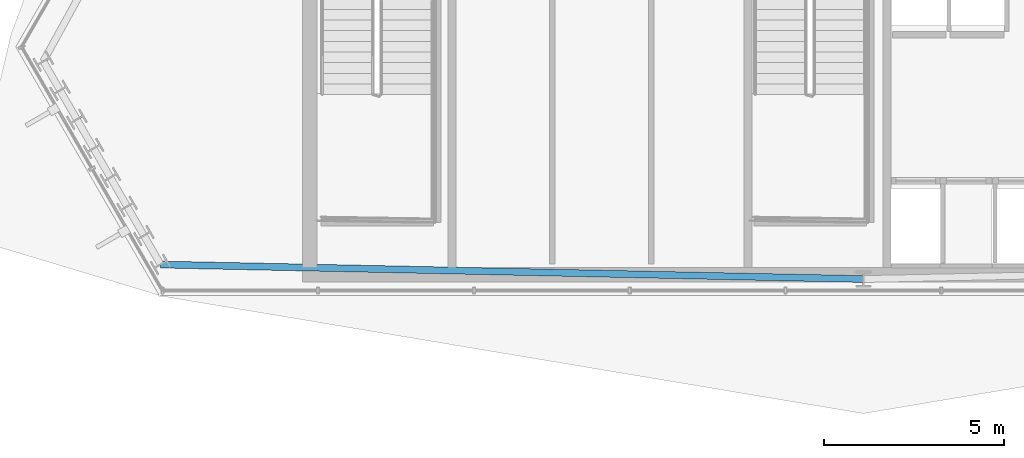
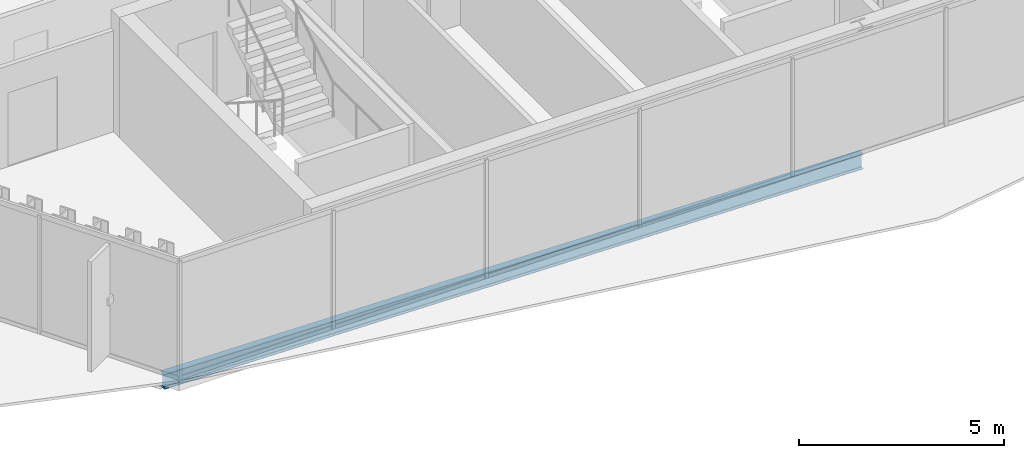
# One storey, part 3 of 37: 1 beam.
"""IFC4 building model written with IfcOpenShell, lengths in metres."""

from ifc_helpers import new_model, si_unit, direction, frame, origin, origin_2d, place, context, subcontext, project, spatial, i_section, extrude, material, material_profile, profile_set, type_object, element, save


model = new_model("IFC4")

# Units and contexts
model_context = context("Model", 3, precision=1e-05, world=origin(), true_north=direction((0.0, 1.0)))
body_context = subcontext(model_context, "Body", "Model", "MODEL_VIEW")
ifc_project = project(units=[si_unit("LENGTHUNIT", "METRE"), si_unit("AREAUNIT", "SQUARE_METRE"), si_unit("VOLUMEUNIT", "CUBIC_METRE"), si_unit("PLANEANGLEUNIT", "RADIAN"), si_unit("MASSUNIT", "GRAM", prefix="KILO")], contexts=[model_context])

# Site, building, storey
site_placement = place(None, origin())
site = spatial("IfcSite", under=ifc_project, at=site_placement, CompositionType="ELEMENT")
building_placement = place(site_placement, origin())
building = spatial("IfcBuilding", under=site, at=building_placement, Name="Ndaravel Arena Tower", CompositionType="ELEMENT")
storey_placement = place(building_placement, frame((0.0, 0.0, 218.0)))
storey = spatial("IfcBuildingStorey", under=building, at=storey_placement, Name="L52", CompositionType="ELEMENT", Elevation=218.0)

# Beam
ifc_material = material(Name="Steel S355", Category="steel")
ifc_material_profile = material_profile(ifc_material, i_section(OverallWidth=0.18994140625, OverallDepth=0.449951171875, WebThickness=0.009521484375, FlangeThickness=0.0146484375, FilletRadius=0.02099609375, at=origin_2d()), Name="IPE 450")
ifc_profile_set = profile_set([ifc_material_profile], Name="Steel S355")
beam_type = type_object("IfcBeamType", Name="BM-SPAN-IPE450", PredefinedType="SPANDREL", material=ifc_profile_set)
beam_placement = place(storey_placement, frame((22.51904296875, 5.88232421875, -0.445068359375), z_axis=(0.999786791244, -0.020648778504, 0.0), x_axis=(0.020648778504, 0.999786791244, 0.0)))
element("IfcBeam", 1, at=beam_placement, inside=storey, type_object=beam_type, Name="L52 Perimeter Spandrel Beam SP-27", PredefinedType="SPANDREL", context=body_context, shape_type="SweptSolid", body=[
    extrude(i_section(OverallWidth=0.18994140625, OverallDepth=0.449951171875, WebThickness=0.009521484375, FlangeThickness=0.0146484375, FilletRadius=0.02099609375, at=origin_2d()), origin(), (0.0, 0.0, 1.0), 19.485107421875),
])

save(model, "model.ifc")
